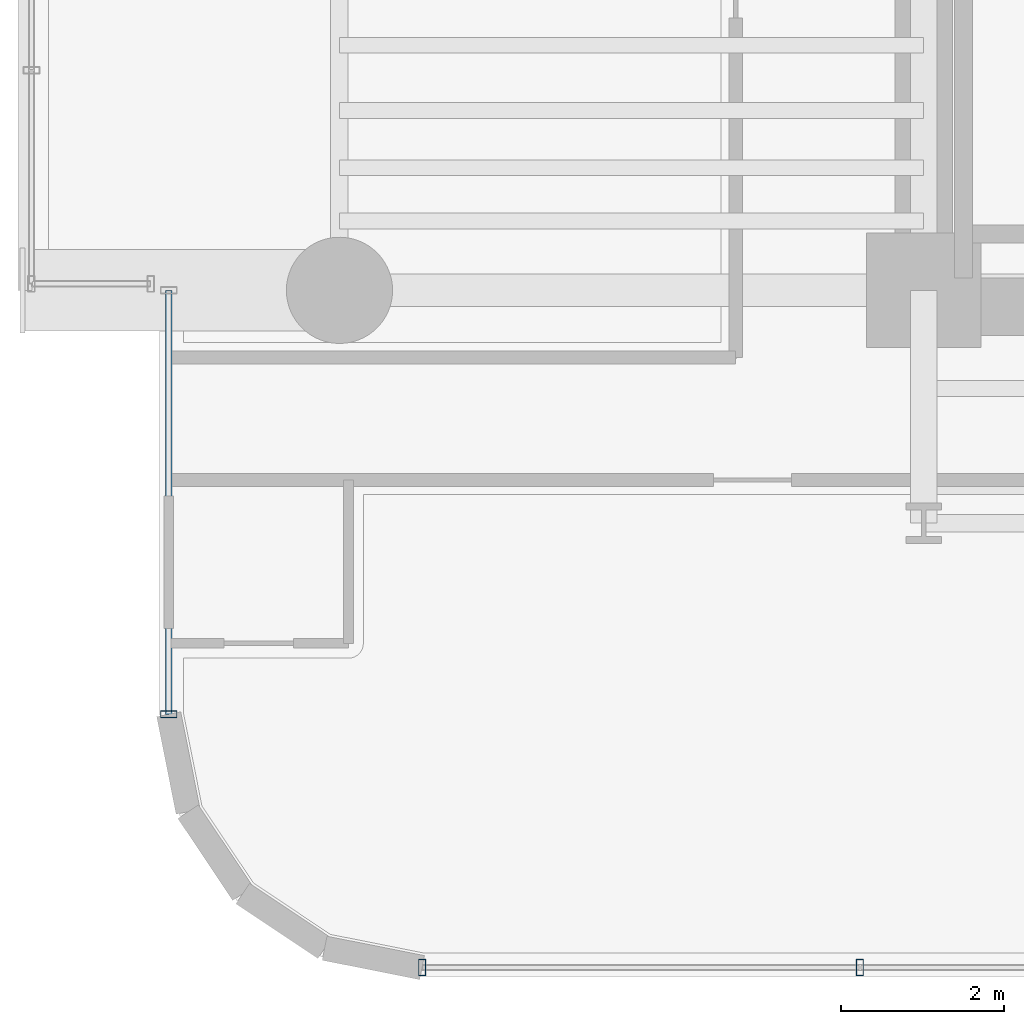
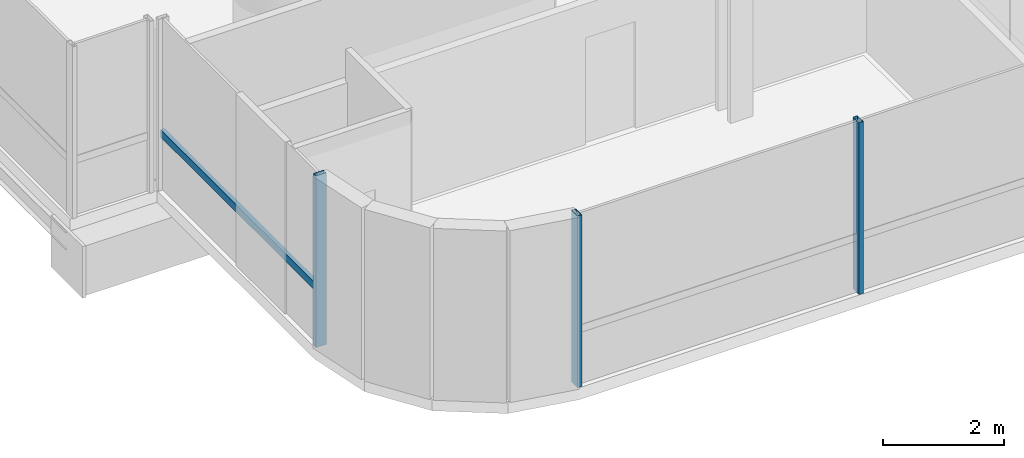
# One storey, part 2 of 41: 4 members, 2 elements without a shape of their own.
"""IFC4 building model written with IfcOpenShell, lengths in metres."""

from ifc_helpers import new_model, si_unit, direction, frame, origin, origin_2d, place, context, subcontext, project, spatial, hollow_rectangle, extrude, source, transform, mapped, material, material_profile, profile_set, type_object, element, aggregate, save


model = new_model("IFC4")

# Units and contexts
model_context = context("Model", 3, precision=1e-05, world=origin(), true_north=direction((0.0, 1.0)))
body_context = subcontext(model_context, "Body", "Model", "MODEL_VIEW")
ifc_project = project(units=[si_unit("LENGTHUNIT", "METRE"), si_unit("AREAUNIT", "SQUARE_METRE"), si_unit("VOLUMEUNIT", "CUBIC_METRE"), si_unit("PLANEANGLEUNIT", "RADIAN"), si_unit("MASSUNIT", "GRAM", prefix="KILO")], contexts=[model_context])

# Site, building, storey
site_placement = place(None, origin())
site = spatial("IfcSite", under=ifc_project, at=site_placement, CompositionType="ELEMENT")
building_placement = place(site_placement, origin())
building = spatial("IfcBuilding", under=site, at=building_placement, Name="Valdorenza Pilgrim Sanctuary Tower", CompositionType="ELEMENT")
storey_placement = place(building_placement, frame((0.0, 0.0, 63.0)))
storey = spatial("IfcBuildingStorey", under=building, at=storey_placement, Name="L15", CompositionType="ELEMENT", Elevation=63.0)

# Curtain wall, member
ifc_material_1 = material(Name="Curtain-wall IGU glazing", Category="glass")
curtain_wall_type = type_object("IfcCurtainWallType", Name="CW-SYS-02", PredefinedType="NOTDEFINED", material=ifc_material_1)
curtain_wall_1_placement = place(storey_placement, origin())
curtain_wall_1 = element("IfcCurtainWall", 1, at=curtain_wall_1_placement, inside=storey, type_object=curtain_wall_type, Name="L15 Curtain Wall CW-L15-1-1S1", PredefinedType="NOTDEFINED")
ifc_material_2 = material(Name="Anodised aluminium AW-6060", Category="aluminium")
ifc_material_profile_1 = material_profile(ifc_material_2, hollow_rectangle(XDim=0.0849609375, YDim=0.199951171875, WallThickness=0.0048828125, at=origin_2d()), Name="ALU-M 200x85x5")
ifc_profile_set_1 = profile_set([ifc_material_profile_1], Name="Anodised aluminium AW-6060")
member_type_1 = type_object("IfcMemberType", Name="CW-MUL-02", PredefinedType="MULLION", material=ifc_profile_set_1)
shared_shape_1 = source(origin(), body_context, "Body", "SweptSolid", [
    extrude(hollow_rectangle(XDim=0.0849609375, YDim=0.199951171875, WallThickness=0.0048828125, at=origin_2d()), origin(), (0.0, 0.0, 1.0), 3.4599609375),
])
member_1_placement = place(storey_placement, frame((-31.889892578125, -15.789306640625, 0.0), z_axis=(0.0, 0.0, 1.0), x_axis=(0.0, 1.0, 0.0)))
member_1 = element("IfcMember", 2, at=member_1_placement, type_object=member_type_1, Name="CW-L15-1-1S1 Mullion 1", PredefinedType="MULLION", context=body_context, shape_type="MappedRepresentation", body=[
    mapped(shared_shape_1, transform((0.0, 0.0, 0.0), x_axis=(1.0, 0.0, 0.0), y_axis=(0.0, 1.0, 0.0), z_axis=(0.0, 0.0, 1.0), scale=1.0)),
])

# Curtain wall, members
curtain_wall_2_placement = place(storey_placement, origin())
curtain_wall_2 = element("IfcCurtainWall", 3, at=curtain_wall_2_placement, inside=storey, type_object=curtain_wall_type, Name="L15 Curtain Wall CW-L15-1-46", PredefinedType="NOTDEFINED")
member_2_placement = place(storey_placement, frame((-23.4296875, -18.889892578125, 0.0), z_axis=(0.0, 0.0, 1.0), x_axis=(-1.0, 0.0, 0.0)))
member_2 = element("IfcMember", 4, at=member_2_placement, type_object=member_type_1, Name="CW-L15-1-46 Mullion 3", PredefinedType="MULLION", context=body_context, shape_type="MappedRepresentation", body=[
    mapped(shared_shape_1, transform((0.0, 0.0, 0.0), x_axis=(1.0, 0.0, 0.0), y_axis=(0.0, 1.0, 0.0), z_axis=(0.0, 0.0, 1.0), scale=1.0)),
])
member_3_placement = place(storey_placement, frame((-28.789306640625, -18.889892578125, 0.0), z_axis=(0.0, 0.0, 1.0), x_axis=(-1.0, 0.0, 0.0)))
member_3 = element("IfcMember", 5, at=member_3_placement, type_object=member_type_1, Name="CW-L15-1-46 Mullion 4", PredefinedType="MULLION", context=body_context, shape_type="MappedRepresentation", body=[
    mapped(shared_shape_1, transform((0.0, 0.0, 0.0), x_axis=(1.0, 0.0, 0.0), y_axis=(0.0, 1.0, 0.0), z_axis=(0.0, 0.0, 1.0), scale=1.0)),
])
aggregate(curtain_wall_2, [member_2, member_3])

# Member
ifc_material_profile_2 = material_profile(ifc_material_2, hollow_rectangle(XDim=0.074951171875, YDim=0.14990234375, WallThickness=0.00390625, at=origin_2d()), Name="ALU-T 150x75x4")
ifc_profile_set_2 = profile_set([ifc_material_profile_2], Name="Anodised aluminium AW-6060")
member_type_2 = type_object("IfcMemberType", Name="CW-TRN-02", PredefinedType="USERDEFINED", material=ifc_profile_set_2)
shared_shape_2 = source(origin(), body_context, "Body", "SweptSolid", [
    extrude(hollow_rectangle(XDim=0.074951171875, YDim=0.14990234375, WallThickness=0.00390625, at=origin_2d()), origin(), (0.0, 0.0, 1.0), 5.189208984375),
])
member_4_placement = place(storey_placement, frame((-31.889892578125, -15.789306640625, 1.1201171875), z_axis=(0.0, 1.0, 0.0), x_axis=(-1.0, 0.0, 0.0)))
member_4 = element("IfcMember", 6, at=member_4_placement, type_object=member_type_2, Name="CW-L15-1-1S1 Transom 1", ObjectType="TRANSOM", PredefinedType="USERDEFINED", context=body_context, shape_type="MappedRepresentation", body=[
    mapped(shared_shape_2, transform((0.0, 0.0, 0.0), x_axis=(1.0, 0.0, 0.0), y_axis=(0.0, 1.0, 0.0), z_axis=(0.0, 0.0, 1.0), scale=1.0)),
])

aggregate(curtain_wall_1, [member_1, member_4])

save(model, "model.ifc")
